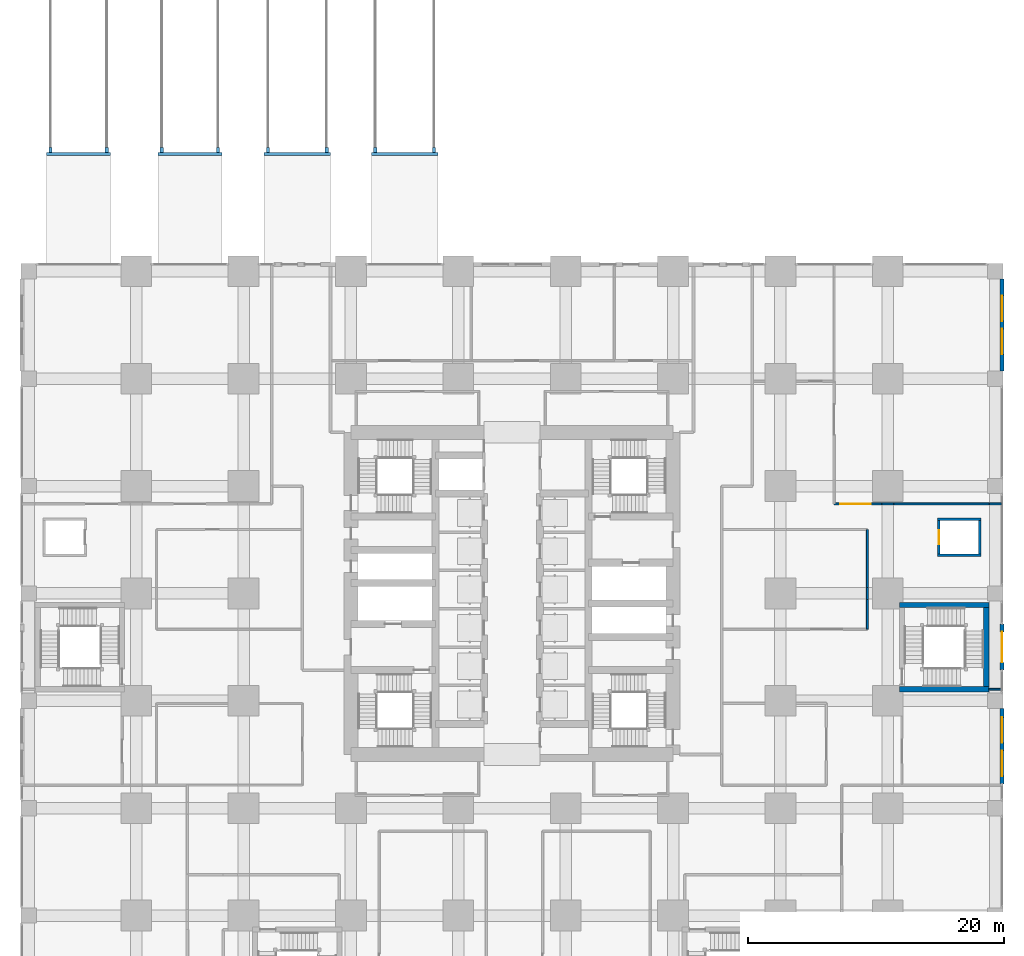
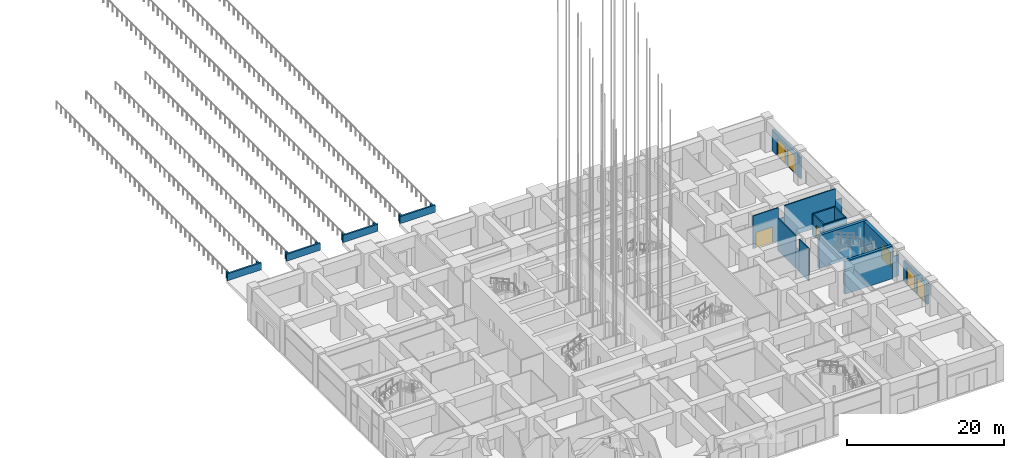
# One storey, part 43 of 81: 30 walls, 7 doors, 7 openings.
"""IFC4 building model written with IfcOpenShell, lengths in metres."""

from ifc_helpers import new_model, si_unit, direction, frame, frame_2d, origin, place, context, subcontext, project, spatial, rectangle, extrude, material, layer, layer_set, type_object, element, fill, save


model = new_model("IFC4")

# Units and contexts
model_context = context("Model", 3, precision=1e-05, world=origin(), true_north=direction((0.0, 1.0)))
body_context = subcontext(model_context, "Body", "Model", "MODEL_VIEW")
ifc_project = project(units=[si_unit("LENGTHUNIT", "METRE"), si_unit("AREAUNIT", "SQUARE_METRE"), si_unit("VOLUMEUNIT", "CUBIC_METRE"), si_unit("PLANEANGLEUNIT", "RADIAN"), si_unit("MASSUNIT", "GRAM", prefix="KILO")], contexts=[model_context])

# Site, building, storey
site_placement = place(None, origin())
site = spatial("IfcSite", under=ifc_project, at=site_placement, CompositionType="ELEMENT")
building_placement = place(site_placement, origin())
building = spatial("IfcBuilding", under=site, at=building_placement, Name="Rekha Terrace Tower", CompositionType="ELEMENT")
storey_placement = place(building_placement, origin())
storey = spatial("IfcBuildingStorey", under=building, at=storey_placement, Name="L00", CompositionType="ELEMENT", Elevation=0.0)

# Wall, openings, doors
ifc_material_1 = material(Name="Concrete M40", Category="concrete")
ifc_layer_1 = layer(ifc_material_1, 0.300048828125)
ifc_layer_set_1 = layer_set([ifc_layer_1], Name="Concrete M40")
wall_type_1 = type_object("IfcWallType", Name="EW2 glazed entrance screen wall 300", PredefinedType="SOLIDWALL", material=ifc_layer_set_1)
wall_1_placement = place(storey_placement, frame((76.139892578125, 24.59912109375, 0.0), z_axis=(0.0, 0.0, 1.0), x_axis=(0.0, -1.0, 0.0)))
wall_1 = element("IfcWall", 1, at=wall_1_placement, inside=storey, type_object=wall_type_1, Name="Entrance screen wall", PredefinedType="SOLIDWALL", context=body_context, shape_type="SweptSolid", body=[
    extrude(rectangle(XDim=5.899169921875, YDim=0.300048828125, at=frame_2d((2.94970703125, 0.0))), origin(), (0.0, 0.0, 1.0), 3.300048828125),
])
opening_1_placement = place(wall_1_placement, frame((3.299072265625, 0.0, 0.0)))
opening_1 = element("IfcOpeningElement", 2, at=opening_1_placement, cuts=wall_1, Name="Opening ED1", PredefinedType="OPENING", context=body_context, shape_type="SweptSolid", body=[
    extrude(rectangle(XDim=2.0, YDim=2.699951171875, at=frame_2d((1.0, 1.35009765625))), frame((0.0, 0.159912109375, 0.0), z_axis=(0.0, -1.0, 0.0), x_axis=(1.0, 0.0, 0.0)), (0.0, 0.0, 1.0), 0.320068359375),
])
opening_2_placement = place(wall_1_placement, frame((0.698974609375, 0.0, 0.0)))
opening_2 = element("IfcOpeningElement", 3, at=opening_2_placement, cuts=wall_1, Name="Opening ED1", PredefinedType="OPENING", context=body_context, shape_type="SweptSolid", body=[
    extrude(rectangle(XDim=2.0, YDim=2.699951171875, at=frame_2d((1.0, 1.35009765625))), frame((0.0, 0.159912109375, 0.0), z_axis=(0.0, -1.0, 0.0), x_axis=(1.0, 0.0, 0.0)), (0.0, 0.0, 1.0), 0.320068359375),
])
ifc_material_2 = material(Name="Aluminium framed laminated glass door", Category="aluminium")
door_type_1 = type_object("IfcDoorType", Name="ED1 glazed double entrance door 2000 x 2700", OperationType="DOUBLE_DOOR_SINGLE_SWING", PredefinedType="DOOR", material=ifc_material_2)
door_1_placement = place(opening_1_placement, origin())
door_1 = element("IfcDoor", 4, at=door_1_placement, inside=storey, type_object=door_type_1, Name="Entrance door", OperationType="DOUBLE_DOOR_SINGLE_SWING", OverallHeight=2.699951171875, OverallWidth=2.0, PredefinedType="DOOR", context=body_context, shape_type="SweptSolid", body=[
    extrude(rectangle(XDim=2.0, YDim=2.699951171875, at=frame_2d((1.0, 1.35009765625))), frame((0.0, 0.02490234375, 0.0), z_axis=(0.0, -1.0, 0.0), x_axis=(1.0, 0.0, 0.0)), (0.0, 0.0, 1.0), 0.050048828125),
])
fill(opening_1, door_1)
door_2_placement = place(opening_2_placement, origin())
door_2 = element("IfcDoor", 5, at=door_2_placement, inside=storey, type_object=door_type_1, Name="Entrance door", OperationType="DOUBLE_DOOR_SINGLE_SWING", OverallHeight=2.699951171875, OverallWidth=2.0, PredefinedType="DOOR", context=body_context, shape_type="SweptSolid", body=[
    extrude(rectangle(XDim=2.0, YDim=2.699951171875, at=frame_2d((1.0, 1.35009765625))), frame((0.0, 0.02490234375, 0.0), z_axis=(0.0, -1.0, 0.0), x_axis=(1.0, 0.0, 0.0)), (0.0, 0.0, 1.0), 0.050048828125),
])
fill(opening_2, door_2)

# Wall, opening, door
wall_2_placement = place(storey_placement, frame((76.139892578125, 31.199951171875, 0.0), z_axis=(0.0, 0.0, 1.0), x_axis=(0.0, -1.0, 0.0)))
wall_2 = element("IfcWall", 6, at=wall_2_placement, inside=storey, type_object=wall_type_1, Name="Entrance screen wall", PredefinedType="SOLIDWALL", context=body_context, shape_type="SweptSolid", body=[
    extrude(rectangle(XDim=3.599853515625, YDim=0.300048828125, at=frame_2d((1.7998046875, 0.0))), origin(), (0.0, 0.0, 1.0), 3.300048828125),
])
opening_3_placement = place(wall_2_placement, frame((0.60009765625, 0.0, 0.0)))
opening_3 = element("IfcOpeningElement", 7, at=opening_3_placement, cuts=wall_2, Name="Opening ED2", PredefinedType="OPENING", context=body_context, shape_type="SweptSolid", body=[
    extrude(rectangle(XDim=2.39990234375, YDim=2.39990234375, at=frame_2d((1.199951171875, 1.199951171875))), frame((0.0, 0.159912109375, 0.0), z_axis=(0.0, -1.0, 0.0), x_axis=(1.0, 0.0, 0.0)), (0.0, 0.0, 1.0), 0.320068359375),
])
ifc_material_3 = material(Name="Galvanised steel door", Category="steel")
door_type_2 = type_object("IfcDoorType", Name="ED2 steel double exit door 2400 x 2400", OperationType="DOUBLE_DOOR_SINGLE_SWING", PredefinedType="DOOR", material=ifc_material_3)
door_3_placement = place(opening_3_placement, origin())
door_3 = element("IfcDoor", 8, at=door_3_placement, inside=storey, type_object=door_type_2, Name="Exit discharge door", OperationType="DOUBLE_DOOR_SINGLE_SWING", OverallHeight=2.39990234375, OverallWidth=2.39990234375, PredefinedType="DOOR", context=body_context, shape_type="SweptSolid", body=[
    extrude(rectangle(XDim=2.39990234375, YDim=2.39990234375, at=frame_2d((1.199951171875, 1.199951171875))), frame((0.0, 0.02490234375, 0.0), z_axis=(0.0, -1.0, 0.0), x_axis=(1.0, 0.0, 0.0)), (0.0, 0.0, 1.0), 0.050048828125),
])
fill(opening_3, door_3)

# Wall, openings, doors
wall_3_placement = place(storey_placement, frame((76.139892578125, 58.198974609375, 0.0), z_axis=(0.0, 0.0, 1.0), x_axis=(0.0, -1.0, 0.0)))
wall_3 = element("IfcWall", 9, at=wall_3_placement, inside=storey, type_object=wall_type_1, Name="Entrance screen wall", PredefinedType="SOLIDWALL", context=body_context, shape_type="SweptSolid", body=[
    extrude(rectangle(XDim=7.197998046875, YDim=0.300048828125, at=frame_2d((3.59912109375, 0.0))), origin(), (0.0, 0.0, 1.0), 3.300048828125),
])
opening_4_placement = place(wall_3_placement, frame((3.89892578125, 0.0, 0.0)))
opening_4 = element("IfcOpeningElement", 10, at=opening_4_placement, cuts=wall_3, Name="Opening ED1", PredefinedType="OPENING", context=body_context, shape_type="SweptSolid", body=[
    extrude(rectangle(XDim=2.0, YDim=2.699951171875, at=frame_2d((1.0, 1.35009765625))), frame((0.0, 0.159912109375, 0.0), z_axis=(0.0, -1.0, 0.0), x_axis=(1.0, 0.0, 0.0)), (0.0, 0.0, 1.0), 0.320068359375),
])
opening_5_placement = place(wall_3_placement, frame((1.299072265625, 0.0, 0.0)))
opening_5 = element("IfcOpeningElement", 11, at=opening_5_placement, cuts=wall_3, Name="Opening ED1", PredefinedType="OPENING", context=body_context, shape_type="SweptSolid", body=[
    extrude(rectangle(XDim=2.0, YDim=2.699951171875, at=frame_2d((1.0, 1.35009765625))), frame((0.0, 0.159912109375, 0.0), z_axis=(0.0, -1.0, 0.0), x_axis=(1.0, 0.0, 0.0)), (0.0, 0.0, 1.0), 0.320068359375),
])
door_4_placement = place(opening_4_placement, origin())
door_4 = element("IfcDoor", 12, at=door_4_placement, inside=storey, type_object=door_type_1, Name="Entrance door", OperationType="DOUBLE_DOOR_SINGLE_SWING", OverallHeight=2.699951171875, OverallWidth=2.0, PredefinedType="DOOR", context=body_context, shape_type="SweptSolid", body=[
    extrude(rectangle(XDim=2.0, YDim=2.699951171875, at=frame_2d((1.0, 1.35009765625))), frame((0.0, 0.02490234375, 0.0), z_axis=(0.0, -1.0, 0.0), x_axis=(1.0, 0.0, 0.0)), (0.0, 0.0, 1.0), 0.050048828125),
])
fill(opening_4, door_4)
door_5_placement = place(opening_5_placement, origin())
door_5 = element("IfcDoor", 13, at=door_5_placement, inside=storey, type_object=door_type_1, Name="Entrance door", OperationType="DOUBLE_DOOR_SINGLE_SWING", OverallHeight=2.699951171875, OverallWidth=2.0, PredefinedType="DOOR", context=body_context, shape_type="SweptSolid", body=[
    extrude(rectangle(XDim=2.0, YDim=2.699951171875, at=frame_2d((1.0, 1.35009765625))), frame((0.0, 0.02490234375, 0.0), z_axis=(0.0, -1.0, 0.0), x_axis=(1.0, 0.0, 0.0)), (0.0, 0.0, 1.0), 0.050048828125),
])
fill(opening_5, door_5)

# Walls
ifc_layer_2 = layer(ifc_material_1, 0.25)
ifc_layer_set_2 = layer_set([ifc_layer_2], Name="Concrete M40")
wall_type_2 = type_object("IfcWallType", Name="PW1 250 deck parapet, 1100 high", PredefinedType="PARAPET", material=ifc_layer_set_2)
for number, where, z_axis, x_axis, name in (
    (14, (1.699951171875, 68.10009765625, 0.0), (0.0, 0.0, 1.0), (0.0, 1.0, 0.0), "Drive deck parapet return over ramp 1 W"),
    (15, (6.10009765625, 68.10009765625, 0.0), (0.0, 0.0, 1.0), (0.0, 1.0, 0.0), "Drive deck parapet return over ramp 1 E"),
):
    element("IfcWall", number, at=place(storey_placement, frame(where, z_axis=z_axis, x_axis=x_axis)), inside=storey, type_object=wall_type_2, Name=name, PredefinedType="PARAPET", context=body_context, shape_type="SweptSolid", body=[
        extrude(rectangle(XDim=0.39990234375, YDim=0.25, at=frame_2d((0.199951171875, 0.0))), origin(), (0.0, 0.0, 1.0), 1.10009765625),
    ])
wall_4_placement = place(storey_placement, frame((1.39990234375, 67.97509765625, 0.0), z_axis=(0.0, 0.0, 1.0), x_axis=(1.0, 0.0, 0.0)))
element("IfcWall", 16, at=wall_4_placement, inside=storey, type_object=wall_type_2, Name="Drive deck parapet over ramp 1", PredefinedType="PARAPET", context=body_context, shape_type="SweptSolid", body=[
    extrude(rectangle(XDim=5.0, YDim=0.25, at=frame_2d((2.5, 0.0))), origin(), (0.0, 0.0, 1.0), 1.10009765625),
])
for number, where, z_axis, x_axis, name in (
    (17, (10.39990234375, 68.10009765625, 0.0), (0.0, 0.0, 1.0), (0.0, 1.0, 0.0), "Drive deck parapet return over ramp 2 W"),
    (18, (14.800048828125, 68.10009765625, 0.0), (0.0, 0.0, 1.0), (0.0, 1.0, 0.0), "Drive deck parapet return over ramp 2 E"),
):
    element("IfcWall", number, at=place(storey_placement, frame(where, z_axis=z_axis, x_axis=x_axis)), inside=storey, type_object=wall_type_2, Name=name, PredefinedType="PARAPET", context=body_context, shape_type="SweptSolid", body=[
        extrude(rectangle(XDim=0.39990234375, YDim=0.25, at=frame_2d((0.199951171875, 0.0))), origin(), (0.0, 0.0, 1.0), 1.10009765625),
    ])
wall_5_placement = place(storey_placement, frame((10.10009765625, 67.97509765625, 0.0), z_axis=(0.0, 0.0, 1.0), x_axis=(1.0, 0.0, 0.0)))
element("IfcWall", 19, at=wall_5_placement, inside=storey, type_object=wall_type_2, Name="Drive deck parapet over ramp 2", PredefinedType="PARAPET", context=body_context, shape_type="SweptSolid", body=[
    extrude(rectangle(XDim=5.0, YDim=0.25, at=frame_2d((2.5, 0.0))), origin(), (0.0, 0.0, 1.0), 1.10009765625),
])
for number, where, z_axis, x_axis, name in (
    (20, (18.699951171875, 68.10009765625, 0.0), (0.0, 0.0, 1.0), (0.0, 1.0, 0.0), "Drive deck parapet return over ramp 3 W"),
    (21, (23.300048828125, 68.10009765625, 0.0), (0.0, 0.0, 1.0), (0.0, 1.0, 0.0), "Drive deck parapet return over ramp 3 E"),
):
    element("IfcWall", number, at=place(storey_placement, frame(where, z_axis=z_axis, x_axis=x_axis)), inside=storey, type_object=wall_type_2, Name=name, PredefinedType="PARAPET", context=body_context, shape_type="SweptSolid", body=[
        extrude(rectangle(XDim=0.39990234375, YDim=0.25, at=frame_2d((0.199951171875, 0.0))), origin(), (0.0, 0.0, 1.0), 1.10009765625),
    ])
wall_6_placement = place(storey_placement, frame((18.39990234375, 67.97509765625, 0.0), z_axis=(0.0, 0.0, 1.0), x_axis=(1.0, 0.0, 0.0)))
element("IfcWall", 22, at=wall_6_placement, inside=storey, type_object=wall_type_2, Name="Drive deck parapet over ramp 3", PredefinedType="PARAPET", context=body_context, shape_type="SweptSolid", body=[
    extrude(rectangle(XDim=5.2001953125, YDim=0.25, at=frame_2d((2.60009765625, 0.0))), origin(), (0.0, 0.0, 1.0), 1.10009765625),
])
for number, where, z_axis, x_axis, name in (
    (23, (27.10009765625, 68.10009765625, 0.0), (0.0, 0.0, 1.0), (0.0, 1.0, 0.0), "Drive deck parapet return over ramp 4 W"),
    (24, (31.699951171875, 68.10009765625, 0.0), (0.0, 0.0, 1.0), (0.0, 1.0, 0.0), "Drive deck parapet return over ramp 4 E"),
):
    element("IfcWall", number, at=place(storey_placement, frame(where, z_axis=z_axis, x_axis=x_axis)), inside=storey, type_object=wall_type_2, Name=name, PredefinedType="PARAPET", context=body_context, shape_type="SweptSolid", body=[
        extrude(rectangle(XDim=0.39990234375, YDim=0.25, at=frame_2d((0.199951171875, 0.0))), origin(), (0.0, 0.0, 1.0), 1.10009765625),
    ])
wall_7_placement = place(storey_placement, frame((26.800048828125, 67.97509765625, 0.0), z_axis=(0.0, 0.0, 1.0), x_axis=(1.0, 0.0, 0.0)))
element("IfcWall", 25, at=wall_7_placement, inside=storey, type_object=wall_type_2, Name="Drive deck parapet over ramp 4", PredefinedType="PARAPET", context=body_context, shape_type="SweptSolid", body=[
    extrude(rectangle(XDim=5.199951171875, YDim=0.25, at=frame_2d((2.60009765625, 0.0))), origin(), (0.0, 0.0, 1.0), 1.10009765625),
])
ifc_material_4 = material(Name="Concrete block masonry, 1 hour", Category="masonry")
ifc_layer_3 = layer(ifc_material_4, 0.14990234375)
ifc_layer_set_3 = layer_set([ifc_layer_3], Name="Concrete block masonry, 1 hour")
wall_type_3 = type_object("IfcWallType", Name="WP2 150 tenancy partition", PredefinedType="PARTITIONING", material=ifc_layer_set_3)
wall_8_placement = place(storey_placement, frame((76.090087890625, 40.60009765625, 0.0), z_axis=(0.0, 0.0, 1.0), x_axis=(-1.0, 0.0, 0.0)))
element("IfcWall", 26, at=wall_8_placement, inside=storey, type_object=wall_type_3, Name="Partition L00-05", PredefinedType="PARTITIONING", context=body_context, shape_type="SweptSolid", body=[
    extrude(rectangle(XDim=0.9501953125, YDim=0.14990234375, at=frame_2d((0.47509765625, 0.0))), origin(), (0.0, 0.0, 1.0), 3.300048828125),
])
wall_9_placement = place(storey_placement, frame((75.139892578125, 40.60009765625, 0.0), z_axis=(0.0, 0.0, 1.0), x_axis=(-1.0, 0.0, 0.0)))
element("IfcWall", 27, at=wall_9_placement, inside=storey, type_object=wall_type_3, Name="Partition L00-05", PredefinedType="PARTITIONING", context=body_context, shape_type="SweptSolid", body=[
    extrude(rectangle(XDim=7.47998046875, YDim=0.14990234375, at=frame_2d((3.739990234375, 0.0))), origin(), (0.0, 0.0, 1.0), 5.10009765625),
])
wall_10_placement = place(storey_placement, frame((67.659912109375, 40.60009765625, 0.0), z_axis=(0.0, 0.0, 1.0), x_axis=(-1.0, 0.0, 0.0)))
element("IfcWall", 28, at=wall_10_placement, inside=storey, type_object=wall_type_3, Name="Partition L00-05", PredefinedType="PARTITIONING", context=body_context, shape_type="SweptSolid", body=[
    extrude(rectangle(XDim=0.919921875, YDim=0.14990234375, at=frame_2d((0.4599609375, 0.0))), origin(), (0.0, 0.0, 1.0), 3.300048828125),
])

# Wall, opening, door
wall_11_placement = place(storey_placement, frame((66.739990234375, 40.60009765625, 0.0), z_axis=(0.0, 0.0, 1.0), x_axis=(-1.0, 0.0, 0.0)))
wall_11 = element("IfcWall", 29, at=wall_11_placement, inside=storey, type_object=wall_type_3, Name="Partition L00-05", PredefinedType="PARTITIONING", context=body_context, shape_type="SweptSolid", body=[
    extrude(rectangle(XDim=3.739990234375, YDim=0.14990234375, at=frame_2d((1.8701171875, 0.0))), origin(), (0.0, 0.0, 1.0), 5.10009765625),
])
opening_6_placement = place(wall_11_placement, frame((0.8701171875, 0.0, 0.0)))
opening_6 = element("IfcOpeningElement", 30, at=opening_6_placement, cuts=wall_11, Name="Opening D7", PredefinedType="OPENING", context=body_context, shape_type="SweptSolid", body=[
    extrude(rectangle(XDim=2.39990234375, YDim=2.39990234375, at=frame_2d((1.199951171875, 1.199951171875))), frame((0.0, 0.0849609375, 0.0), z_axis=(0.0, -1.0, 0.0), x_axis=(1.0, 0.0, 0.0)), (0.0, 0.0, 1.0), 0.169921875),
])
ifc_material_5 = material(Name="Glazed aluminium door", Category="aluminium")
door_type_3 = type_object("IfcDoorType", Name="D7 2400x2400 shopfront double door", OperationType="DOUBLE_DOOR_SINGLE_SWING", PredefinedType="DOOR", material=ifc_material_5)
door_6_placement = place(opening_6_placement, origin())
door_6 = element("IfcDoor", 31, at=door_6_placement, inside=storey, type_object=door_type_3, Name="Door retail unit 2 L00", OperationType="DOUBLE_DOOR_SINGLE_SWING", OverallHeight=2.39990234375, OverallWidth=2.39990234375, PredefinedType="DOOR", context=body_context, shape_type="SweptSolid", body=[
    extrude(rectangle(XDim=2.39990234375, YDim=2.39990234375, at=frame_2d((1.199951171875, 1.199951171875))), frame((0.0, 0.02490234375, 0.0), z_axis=(0.0, -1.0, 0.0), x_axis=(1.0, 0.0, 0.0)), (0.0, 0.0, 1.0), 0.050048828125),
])
fill(opening_6, door_6)

# Walls
wall_12_placement = place(storey_placement, frame((65.60009765625, 38.60009765625, 0.0), z_axis=(0.0, 0.0, 1.0), x_axis=(0.0, -1.0, 0.0)))
element("IfcWall", 32, at=wall_12_placement, inside=storey, type_object=wall_type_3, Name="Partition L00-11", PredefinedType="PARTITIONING", context=body_context, shape_type="SweptSolid", body=[
    extrude(rectangle(XDim=4.5400390625, YDim=0.14990234375, at=frame_2d((2.27001953125, 0.0))), origin(), (0.0, 0.0, 1.0), 5.10009765625),
])
wall_13_placement = place(storey_placement, frame((65.60009765625, 34.06005859375, 0.0), z_axis=(0.0, 0.0, 1.0), x_axis=(0.0, -1.0, 0.0)))
element("IfcWall", 33, at=wall_13_placement, inside=storey, type_object=wall_type_3, Name="Partition L00-11", PredefinedType="PARTITIONING", context=body_context, shape_type="SweptSolid", body=[
    extrude(rectangle(XDim=0.920166015625, YDim=0.14990234375, at=frame_2d((0.4599609375, 0.0))), origin(), (0.0, 0.0, 1.0), 3.300048828125),
])
wall_14_placement = place(storey_placement, frame((65.60009765625, 33.139892578125, 0.0), z_axis=(0.0, 0.0, 1.0), x_axis=(0.0, -1.0, 0.0)))
element("IfcWall", 34, at=wall_14_placement, inside=storey, type_object=wall_type_3, Name="Partition L00-11", PredefinedType="PARTITIONING", context=body_context, shape_type="SweptSolid", body=[
    extrude(rectangle(XDim=2.33984375, YDim=0.14990234375, at=frame_2d((1.169921875, 0.0))), origin(), (0.0, 0.0, 1.0), 5.10009765625),
])
ifc_material_6 = material(Name="Two layers of fire-rated gypsum board each side on steel studs, acoustic quilt, 1 hour", Category="steel")
ifc_layer_4 = layer(ifc_material_6, 0.125)
ifc_layer_set_4 = layer_set([ifc_layer_4], Name="Two layers of fire-rated gypsum board each side on steel studs, acoustic quilt, 1 hour")
wall_type_4 = type_object("IfcWallType", Name="WP3 125 office partition", PredefinedType="PARTITIONING", material=ifc_layer_set_4)
wall_15_placement = place(storey_placement, frame((75.10009765625, 26.10009765625, 0.0), z_axis=(0.0, 0.0, 1.0), x_axis=(1.0, 0.0, 0.0)))
element("IfcWall", 35, at=wall_15_placement, inside=storey, type_object=wall_type_4, Name="Partition L00-16", PredefinedType="PARTITIONING", context=body_context, shape_type="SweptSolid", body=[
    extrude(rectangle(XDim=0.989990234375, YDim=0.125, at=frame_2d((0.4951171875, 0.0))), origin(), (0.0, 0.0, 1.0), 3.300048828125),
])
ifc_material_7 = material(Name="Solid concrete block masonry, 2 hour", Category="masonry")
ifc_layer_5 = layer(ifc_material_7, 0.199951171875)
ifc_layer_set_5 = layer_set([ifc_layer_5], Name="Solid concrete block masonry, 2 hour")
wall_type_5 = type_object("IfcWallType", Name="WS1 200 stair and shaft enclosure", PredefinedType="PARTITIONING", material=ifc_layer_set_5)
for number, where, z_axis, x_axis, name in (
    (36, (71.10009765625, 36.60009765625, 0.0), (0.0, 0.0, 1.0), (1.0, 0.0, 0.0), "Lift PL2 shaft south wall"),
    (37, (71.10009765625, 39.39990234375, 0.0), (0.0, 0.0, 1.0), (1.0, 0.0, 0.0), "Lift PL2 shaft north wall"),
):
    element("IfcWall", number, at=place(storey_placement, frame(where, z_axis=z_axis, x_axis=x_axis)), inside=storey, type_object=wall_type_5, Name=name, PredefinedType="PARTITIONING", context=body_context, shape_type="SweptSolid", body=[
        extrude(rectangle(XDim=3.39990234375, YDim=0.199951171875, at=frame_2d((1.699951171875, 0.0))), origin(), (0.0, 0.0, 1.0), 3.300048828125),
    ])

# Wall, opening, door
wall_16_placement = place(storey_placement, frame((71.199951171875, 36.699951171875, 0.0), z_axis=(0.0, 0.0, 1.0), x_axis=(0.0, 1.0, 0.0)))
wall_16 = element("IfcWall", 38, at=wall_16_placement, inside=storey, type_object=wall_type_5, Name="Lift PL2 shaft west wall", PredefinedType="PARTITIONING", context=body_context, shape_type="SweptSolid", body=[
    extrude(rectangle(XDim=2.60009765625, YDim=0.199951171875, at=frame_2d((1.300048828125, 0.0))), origin(), (0.0, 0.0, 1.0), 3.300048828125),
])
opening_7_placement = place(wall_16_placement, frame((0.75, 0.0, 0.0)))
opening_7 = element("IfcOpeningElement", 39, at=opening_7_placement, cuts=wall_16, Name="Opening LD1", PredefinedType="OPENING", context=body_context, shape_type="SweptSolid", body=[
    extrude(rectangle(XDim=1.10009765625, YDim=2.10009765625, at=frame_2d((0.550048828125, 1.050048828125))), frame((0.0, 0.10986328125, 0.0), z_axis=(0.0, -1.0, 0.0), x_axis=(1.0, 0.0, 0.0)), (0.0, 0.0, 1.0), 0.219970703125),
])
ifc_material_8 = material(Name="Stainless steel sliding landing door", Category="steel")
door_type_4 = type_object("IfcDoorType", Name="LD1 1100x2100 lift landing door", OperationType="SLIDING_TO_LEFT", PredefinedType="USERDEFINED", material=ifc_material_8)
door_7_placement = place(opening_7_placement, origin())
door_7 = element("IfcDoor", 40, at=door_7_placement, inside=storey, type_object=door_type_4, Name="Lift PL2 landing door L00", ObjectType="LIFT LANDING DOOR", OperationType="SLIDING_TO_LEFT", OverallHeight=2.10009765625, OverallWidth=1.10009765625, PredefinedType="USERDEFINED", context=body_context, shape_type="SweptSolid", body=[
    extrude(rectangle(XDim=1.10009765625, YDim=2.10009765625, at=frame_2d((0.550048828125, 1.050048828125))), frame((0.0, 0.02490234375, 0.0), z_axis=(0.0, -1.0, 0.0), x_axis=(1.0, 0.0, 0.0)), (0.0, 0.0, 1.0), 0.050048828125),
])
fill(opening_7, door_7)

# Walls
wall_17_placement = place(storey_placement, frame((74.39990234375, 36.699951171875, 0.0), z_axis=(0.0, 0.0, 1.0), x_axis=(0.0, 1.0, 0.0)))
element("IfcWall", 41, at=wall_17_placement, inside=storey, type_object=wall_type_5, Name="Lift PL2 shaft east wall", PredefinedType="PARTITIONING", context=body_context, shape_type="SweptSolid", body=[
    extrude(rectangle(XDim=2.60009765625, YDim=0.199951171875, at=frame_2d((1.300048828125, 0.0))), origin(), (0.0, 0.0, 1.0), 3.300048828125),
])
ifc_material_9 = material(Name="Concrete M60", Category="concrete")
ifc_layer_6 = layer(ifc_material_9, 0.39990234375)
ifc_layer_set_6 = layer_set([ifc_layer_6], Name="Concrete M60")
wall_type_6 = type_object("IfcWallType", Name="WS3 400 RC podium stair wall", PredefinedType="SOLIDWALL", material=ifc_layer_set_6)
for number, where, z_axis, x_axis, name in (
    (42, (68.10009765625, 26.10009765625, 0.0), (0.0, 0.0, 1.0), (1.0, 0.0, 0.0), "Stair SP2 south wall"),
    (43, (68.10009765625, 32.699951171875, 0.0), (0.0, 0.0, 1.0), (1.0, 0.0, 0.0), "Stair SP2 north wall"),
):
    element("IfcWall", number, at=place(storey_placement, frame(where, z_axis=z_axis, x_axis=x_axis)), inside=storey, type_object=wall_type_6, Name=name, PredefinedType="SOLIDWALL", context=body_context, shape_type="SweptSolid", body=[
        extrude(rectangle(XDim=7.0, YDim=0.39990234375, at=frame_2d((3.5, 0.0))), origin(), (0.0, 0.0, 1.0), 5.10009765625),
    ])
wall_18_placement = place(storey_placement, frame((74.89990234375, 26.300048828125, 0.0), z_axis=(0.0, 0.0, 1.0), x_axis=(0.0, 1.0, 0.0)))
element("IfcWall", 44, at=wall_18_placement, inside=storey, type_object=wall_type_6, Name="Stair SP2 east wall", PredefinedType="SOLIDWALL", context=body_context, shape_type="SweptSolid", body=[
    extrude(rectangle(XDim=6.199951171875, YDim=0.39990234375, at=frame_2d((3.10009765625, 0.0))), origin(), (0.0, 0.0, 1.0), 5.10009765625),
])

save(model, "model.ifc")
